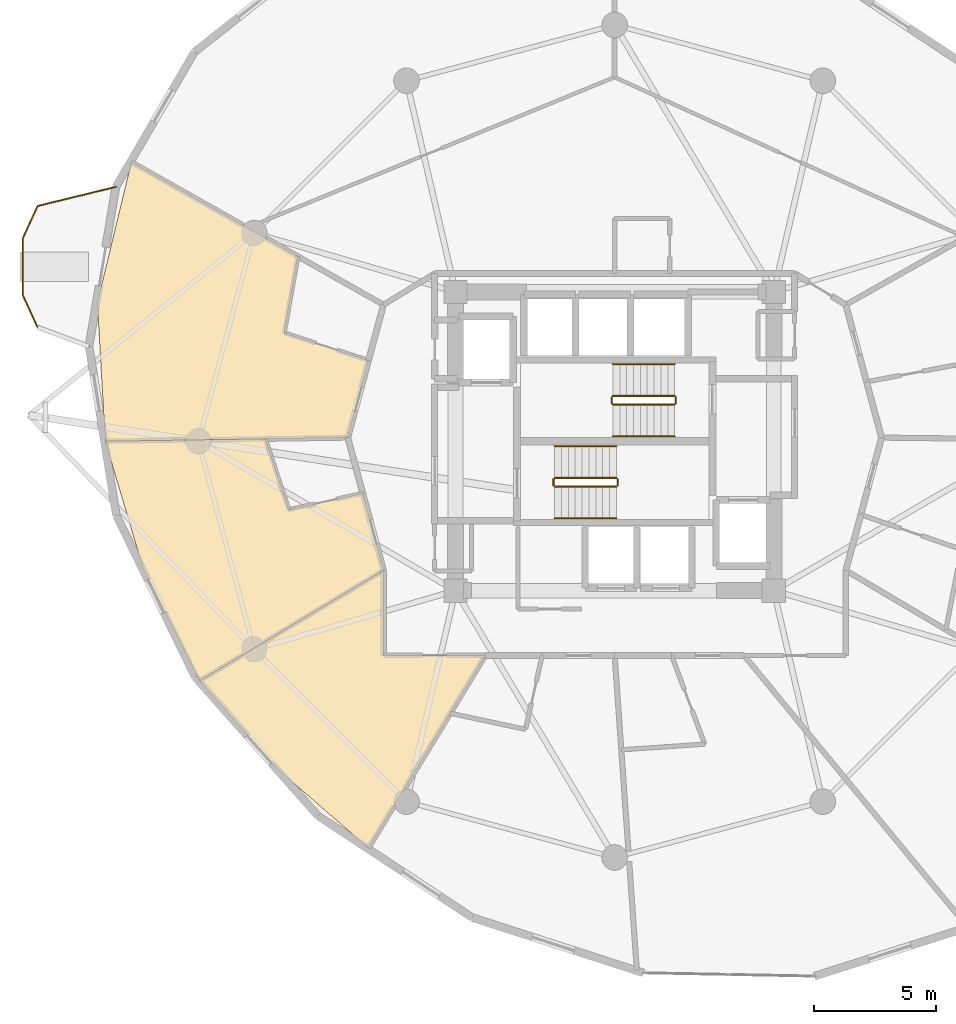
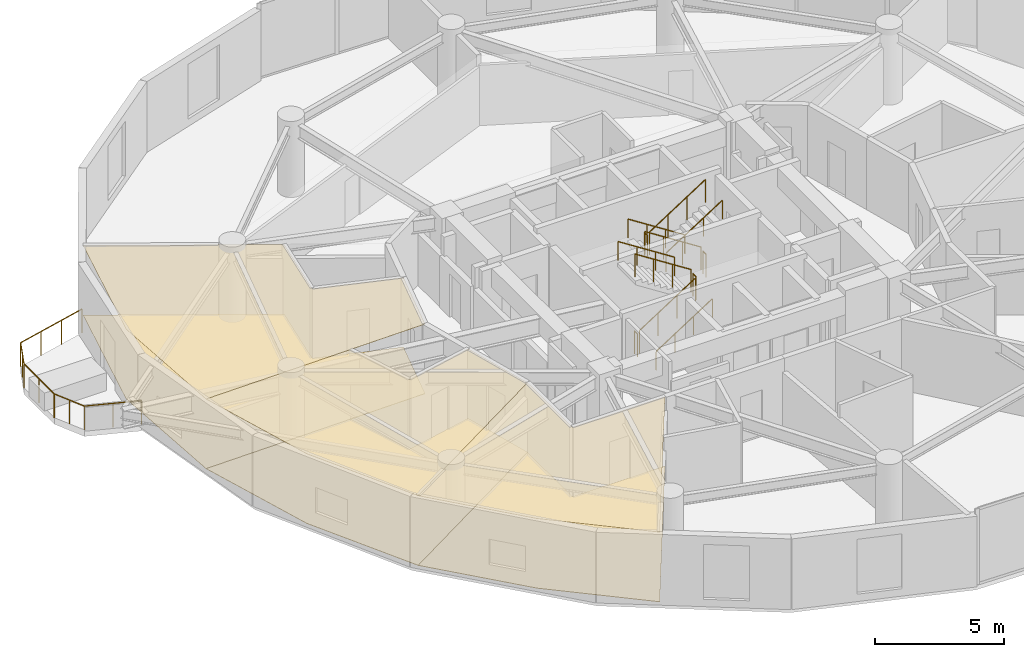
# One storey, part 19 of 20: 13 railings, 6 coverings.
"""IFC4 building model written with IfcOpenShell, lengths in metres."""

from ifc_helpers import new_model, si_unit, direction, frame, origin, origin_2d, place, context, subcontext, project, spatial, polyline, circle, outline, extrude, material, layer, layer_set, type_object, element, save


model = new_model("IFC4")

# Units and contexts
model_context = context("Model", 3, precision=1e-05, world=origin(), true_north=direction((0.0, 1.0)))
body_context = subcontext(model_context, "Body", "Model", "MODEL_VIEW")
ifc_project = project(units=[si_unit("LENGTHUNIT", "METRE"), si_unit("AREAUNIT", "SQUARE_METRE"), si_unit("VOLUMEUNIT", "CUBIC_METRE"), si_unit("PLANEANGLEUNIT", "RADIAN"), si_unit("MASSUNIT", "GRAM", prefix="KILO")], contexts=[model_context])

# Site, building, storey
site_placement = place(None, origin())
site = spatial("IfcSite", under=ifc_project, at=site_placement, CompositionType="ELEMENT")
building_placement = place(site_placement, origin())
building = spatial("IfcBuilding", under=site, at=building_placement, Name="Solvirekh Grand Hotel", CompositionType="ELEMENT")
storey_placement = place(building_placement, frame((0.0, 0.0, 135.0)))
storey = spatial("IfcBuildingStorey", under=building, at=storey_placement, Name="L34", CompositionType="ELEMENT", Elevation=135.0)

# Coverings
ifc_material_1 = material(Name="Acoustic Mineral Ceiling Tile")
ifc_layer_1 = layer(ifc_material_1, 0.02490234375)
ifc_layer_set_1 = layer_set([ifc_layer_1], Name="Acoustic Mineral Ceiling Tile")
covering_type_1 = type_object("IfcCoveringType", Name="Cov_Ceiling_Acoustic", PredefinedType="CEILING", material=ifc_layer_set_1)
covering_1_placement = place(storey_placement, frame((0.0, 0.0, 3.300048828125)))
element("IfcCovering", 1, at=covering_1_placement, inside=storey, type_object=covering_type_1, Name="L34 Deluxe Guestroom 3602 acoustic ceiling", PredefinedType="CEILING", context=body_context, shape_type="SweptSolid", body=[
    extrude(outline(polyline([(-13.498046875, 4.423095703125), (-12.94091796875, 7.553955078125), (-19.738037109375, 11.39599609375), (-21.1259765625, 5.660888671875), (-20.802001953125, 0.0), (-10.89990234375, 0.14990234375), (-10.052978515625, 3.297119140625), (-13.498046875, 4.423095703125)])), origin(), (0.0, 0.0, 1.0), 0.01806640625),
])
covering_2_placement = place(storey_placement, frame((0.0, 0.0, 3.300048828125)))
element("IfcCovering", 2, at=covering_2_placement, inside=storey, type_object=covering_type_1, Name="L34 Deluxe Guestroom 3603 acoustic ceiling", PredefinedType="CEILING", context=body_context, shape_type="SweptSolid", body=[
    extrude(outline(polyline([(-13.31103515625, -2.802001953125), (-14.26708984375, 0.09912109375), (-20.802001953125, 0.0), (-19.26904296875, -5.1630859375), (-16.946044921875, -9.783935546875), (-9.43994140625, -5.27490234375), (-10.287109375, -2.12890625), (-13.31103515625, -2.802001953125)])), origin(), (0.0, 0.0, 1.0), 0.01806640625),
])
covering_3_placement = place(storey_placement, frame((0.0, 0.0, 3.300048828125)))
element("IfcCovering", 3, at=covering_3_placement, inside=storey, type_object=covering_type_1, Name="L34 L34 Presidential Reception acoustic ceiling", PredefinedType="CEILING", context=body_context, shape_type="SweptSolid", body=[
    extrude(outline(polyline([(-16.946044921875, -9.783935546875), (-13.717041015625, -13.43310546875), (-10.05810546875, -16.60791015625), (-5.285888671875, -8.75), (-9.43994140625, -8.75), (-9.43994140625, -5.27490234375), (-16.946044921875, -9.783935546875)])), origin(), (0.0, 0.0, 1.0), 0.01806640625),
])
ifc_material_2 = material(Name="Porcelain Stoneware Flooring", Category="masonry")
ifc_layer_2 = layer(ifc_material_2, 0.030029296875)
ifc_layer_set_2 = layer_set([ifc_layer_2], Name="Porcelain Stoneware Flooring")
covering_type_2 = type_object("IfcCoveringType", Name="Cov_Floor_Stone", PredefinedType="FLOORING", material=ifc_layer_set_2)
covering_4_placement = place(storey_placement, origin())
element("IfcCovering", 4, at=covering_4_placement, inside=storey, type_object=covering_type_2, Name="L34 Deluxe Guestroom 3602 polished granite flooring", PredefinedType="FLOORING", context=body_context, shape_type="SweptSolid", body=[
    extrude(outline(polyline([(-13.498046875, 4.423095703125), (-12.94091796875, 7.553955078125), (-19.738037109375, 11.39599609375), (-21.1259765625, 5.660888671875), (-20.802001953125, 0.0), (-10.89990234375, 0.14990234375), (-10.052978515625, 3.297119140625), (-13.498046875, 4.423095703125)])), origin(), (0.0, 0.0, 1.0), 0.02001953125),
])
covering_5_placement = place(storey_placement, origin())
element("IfcCovering", 5, at=covering_5_placement, inside=storey, type_object=covering_type_2, Name="L34 Deluxe Guestroom 3603 polished granite flooring", PredefinedType="FLOORING", context=body_context, shape_type="SweptSolid", body=[
    extrude(outline(polyline([(-13.31103515625, -2.802001953125), (-14.26708984375, 0.09912109375), (-20.802001953125, 0.0), (-19.26904296875, -5.1630859375), (-16.946044921875, -9.783935546875), (-9.43994140625, -5.27490234375), (-10.287109375, -2.12890625), (-13.31103515625, -2.802001953125)])), origin(), (0.0, 0.0, 1.0), 0.02001953125),
])
covering_6_placement = place(storey_placement, origin())
element("IfcCovering", 6, at=covering_6_placement, inside=storey, type_object=covering_type_2, Name="L34 L34 Presidential Reception polished granite flooring", PredefinedType="FLOORING", context=body_context, shape_type="SweptSolid", body=[
    extrude(outline(polyline([(-16.946044921875, -9.783935546875), (-13.717041015625, -13.43310546875), (-10.05810546875, -16.60791015625), (-5.285888671875, -8.75), (-9.43994140625, -8.75), (-9.43994140625, -5.27490234375), (-16.946044921875, -9.783935546875)])), origin(), (0.0, 0.0, 1.0), 0.02001953125),
])

# Railings
ifc_material_3 = material(Name="Anodized Bronze Aluminium 6063-T6", Category="aluminium")
railing_type_1 = type_object("IfcRailingType", Name="Guard_ExtGlass_1150", PredefinedType="BALUSTRADE", material=ifc_material_3)
railing_1_placement = place(storey_placement, frame((-20.368896484375, 10.39306640625, 0.0)))
element("IfcRailing", 7, at=railing_1_placement, inside=storey, type_object=railing_type_1, Name="L34 horn perimeter glass balustrade", PredefinedType="BALUSTRADE", context=body_context, shape_type="SweptSolid", body=[
    extrude(circle(Radius=0.02392578125, at=origin_2d()), frame((0.0, 0.0, 1.1259765625), z_axis=(-0.971333998501, -0.237718874633, 0.0), x_axis=(0.237718874633, -0.971333998501, 0.0)), (0.0, 0.0, 1.0), 3.293701171875),
    extrude(circle(Radius=0.02392578125, at=origin_2d()), frame((-3.19921875, -0.782958984375, 1.1259765625), z_axis=(-0.417860690066, -0.908511113689, 0.0), x_axis=(0.908511113689, -0.417860690066, 0.0)), (0.0, 0.0, 1.0), 1.435546875),
    extrude(circle(Radius=0.02392578125, at=origin_2d()), frame((-3.799072265625, -2.087158203125, 1.1259765625), z_axis=(0.0, -1.0, 0.0), x_axis=(1.0, 0.0, 0.0)), (0.0, 0.0, 1.0), 2.346923828125),
    extrude(circle(Radius=0.02392578125, at=origin_2d()), frame((-3.799072265625, -4.43408203125, 1.1259765625), z_axis=(0.417925262645, -0.908481411391, 0.0), x_axis=(0.908481411391, 0.417925262645, 0.0)), (0.0, 0.0, 1.0), 1.435302734375),
    extrude(circle(Radius=0.02392578125, at=origin_2d()), frame((-3.19921875, -5.738037109375, 1.1259765625), z_axis=(0.93699893961, -0.349332201736, 0.0), x_axis=(0.349332201736, 0.93699893961, 0.0)), (0.0, 0.0, 1.0), 2.2412109375),
    extrude(circle(Radius=0.02099609375, at=origin_2d()), origin(), (0.0, 0.0, 1.0), 1.101806640625),
    extrude(circle(Radius=0.02099609375, at=origin_2d()), frame((-1.06640625, -0.260986328125, 0.0)), (0.0, 0.0, 1.0), 1.101806640625),
    extrude(circle(Radius=0.02099609375, at=origin_2d()), frame((-2.1328125, -0.52197265625, 0.0)), (0.0, 0.0, 1.0), 1.101806640625),
    extrude(circle(Radius=0.02099609375, at=origin_2d()), frame((-3.19921875, -0.782958984375, 0.0)), (0.0, 0.0, 1.0), 1.101806640625),
    extrude(circle(Radius=0.02099609375, at=origin_2d()), frame((-3.4990234375, -1.43505859375, 0.0)), (0.0, 0.0, 1.0), 1.101806640625),
    extrude(circle(Radius=0.02099609375, at=origin_2d()), frame((-3.799072265625, -2.087158203125, 0.0)), (0.0, 0.0, 1.0), 1.101806640625),
    extrude(circle(Radius=0.02099609375, at=origin_2d()), frame((-3.799072265625, -3.2607421875, 0.0)), (0.0, 0.0, 1.0), 1.101806640625),
    extrude(circle(Radius=0.02099609375, at=origin_2d()), frame((-3.799072265625, -4.43408203125, 0.0)), (0.0, 0.0, 1.0), 1.101806640625),
    extrude(circle(Radius=0.02099609375, at=origin_2d()), frame((-3.4990234375, -5.0859375, 0.0)), (0.0, 0.0, 1.0), 1.101806640625),
    extrude(circle(Radius=0.02099609375, at=origin_2d()), frame((-3.19921875, -5.738037109375, 0.0)), (0.0, 0.0, 1.0), 1.101806640625),
    extrude(circle(Radius=0.02099609375, at=origin_2d()), frame((-2.149169921875, -6.12939453125, 0.0)), (0.0, 0.0, 1.0), 1.101806640625),
    extrude(circle(Radius=0.02099609375, at=origin_2d()), frame((-1.09912109375, -6.52099609375, 0.0)), (0.0, 0.0, 1.0), 1.101806640625),
])
ifc_material_4 = material(Name="Steel S355", Category="steel")
railing_type_2 = type_object("IfcRailingType", Name="Guard_Stair_1100", PredefinedType="GUARDRAIL", material=ifc_material_4)
railing_2_placement = place(storey_placement, frame((-2.449951171875, -1.85009765625, 0.179931640625)))
element("IfcRailing", 8, at=railing_2_placement, inside=storey, type_object=railing_type_2, Name="L34 ST-1 stair guard 1", PredefinedType="GUARDRAIL", context=body_context, shape_type="SweptSolid", body=[
    extrude(circle(Radius=0.02392578125, at=origin_2d()), frame((0.0, 0.0, 1.076171875), z_axis=(0.841162588446, 0.0, 0.540782303519), x_axis=(0.0, 1.0, 0.0)), (0.0, 0.0, 1.0), 2.995849609375),
    extrude(circle(Radius=0.02099609375, at=origin_2d()), origin(), (0.0, 0.0, 1.0), 1.052001953125),
    extrude(circle(Radius=0.02099609375, at=origin_2d()), frame((0.840087890625, 0.0, 0.5400390625)), (0.0, 0.0, 1.0), 1.052001953125),
    extrude(circle(Radius=0.02099609375, at=origin_2d()), frame((1.679931640625, 0.0, 1.080078125)), (0.0, 0.0, 1.0), 1.052001953125),
    extrude(circle(Radius=0.02099609375, at=origin_2d()), frame((2.52001953125, 0.0, 1.6201171875)), (0.0, 0.0, 1.0), 1.052001953125),
])
railing_3_placement = place(storey_placement, frame((0.1201171875, -1.800048828125, 1.800048828125)))
element("IfcRailing", 9, at=railing_3_placement, inside=storey, type_object=railing_type_2, Name="L34 ST-1 stair guard 2", PredefinedType="GUARDRAIL", context=body_context, shape_type="SweptSolid", body=[
    extrude(circle(Radius=0.02392578125, at=origin_2d()), frame((0.0, 0.0, 1.076171875), z_axis=(0.0, 1.0, 0.0), x_axis=(-1.0, 0.0, 0.0)), (0.0, 0.0, 1.0), 0.25),
    extrude(circle(Radius=0.02099609375, at=origin_2d()), origin(), (0.0, 0.0, 1.0), 1.052001953125),
    extrude(circle(Radius=0.02099609375, at=origin_2d()), frame((0.0, 0.25, 0.0)), (0.0, 0.0, 1.0), 1.052001953125),
])
railing_4_placement = place(storey_placement, frame((0.070068359375, -1.5, 1.97998046875)))
element("IfcRailing", 10, at=railing_4_placement, inside=storey, type_object=railing_type_2, Name="L34 ST-1 stair guard 3", PredefinedType="GUARDRAIL", context=body_context, shape_type="SweptSolid", body=[
    extrude(circle(Radius=0.02392578125, at=origin_2d()), frame((0.0, 0.0, 1.076171875), z_axis=(-0.841162588446, 0.0, 0.540782303519), x_axis=(0.0, -1.0, 0.0)), (0.0, 0.0, 1.0), 2.995849609375),
    extrude(circle(Radius=0.02099609375, at=origin_2d()), origin(), (0.0, 0.0, 1.0), 1.052001953125),
    extrude(circle(Radius=0.02099609375, at=origin_2d()), frame((-0.840087890625, 0.0, 0.5400390625)), (0.0, 0.0, 1.0), 1.052001953125),
    extrude(circle(Radius=0.02099609375, at=origin_2d()), frame((-1.679931640625, 0.0, 1.080078125)), (0.0, 0.0, 1.0), 1.052001953125),
    extrude(circle(Radius=0.02099609375, at=origin_2d()), frame((-2.52001953125, 0.0, 1.6201171875)), (0.0, 0.0, 1.0), 1.052001953125),
])
railing_5_placement = place(storey_placement, frame((-2.5, -1.800048828125, 0.0)))
element("IfcRailing", 11, at=railing_5_placement, inside=storey, type_object=railing_type_2, Name="L34 ST-1 stair guard 4", PredefinedType="GUARDRAIL", context=body_context, shape_type="SweptSolid", body=[
    extrude(circle(Radius=0.02392578125, at=origin_2d()), frame((0.0, 0.0, 1.076171875), z_axis=(0.0, 1.0, 0.0), x_axis=(-1.0, 0.0, 0.0)), (0.0, 0.0, 1.0), 0.25),
    extrude(circle(Radius=0.02099609375, at=origin_2d()), origin(), (0.0, 0.0, 1.0), 1.052001953125),
    extrude(circle(Radius=0.02099609375, at=origin_2d()), frame((0.0, 0.25, 0.0)), (0.0, 0.0, 1.0), 1.052001953125),
])
railing_6_placement = place(storey_placement, frame((2.449951171875, 1.85009765625, 0.179931640625)))
element("IfcRailing", 12, at=railing_6_placement, inside=storey, type_object=railing_type_2, Name="L34 ST-2 stair guard 1", PredefinedType="GUARDRAIL", context=body_context, shape_type="SweptSolid", body=[
    extrude(circle(Radius=0.02392578125, at=origin_2d()), frame((0.0, 0.0, 1.076171875), z_axis=(-0.841162588446, 0.0, 0.540782303519), x_axis=(0.0, -1.0, 0.0)), (0.0, 0.0, 1.0), 2.995849609375),
    extrude(circle(Radius=0.02099609375, at=origin_2d()), origin(), (0.0, 0.0, 1.0), 1.052001953125),
    extrude(circle(Radius=0.02099609375, at=origin_2d()), frame((-0.840087890625, 0.0, 0.5400390625)), (0.0, 0.0, 1.0), 1.052001953125),
    extrude(circle(Radius=0.02099609375, at=origin_2d()), frame((-1.679931640625, 0.0, 1.080078125)), (0.0, 0.0, 1.0), 1.052001953125),
    extrude(circle(Radius=0.02099609375, at=origin_2d()), frame((-2.52001953125, 0.0, 1.6201171875)), (0.0, 0.0, 1.0), 1.052001953125),
])
railing_7_placement = place(storey_placement, frame((-0.1201171875, 1.800048828125, 1.800048828125)))
element("IfcRailing", 13, at=railing_7_placement, inside=storey, type_object=railing_type_2, Name="L34 ST-2 stair guard 2", PredefinedType="GUARDRAIL", context=body_context, shape_type="SweptSolid", body=[
    extrude(circle(Radius=0.02392578125, at=origin_2d()), frame((0.0, 0.0, 1.076171875), z_axis=(0.0, -1.0, 0.0), x_axis=(1.0, 0.0, 0.0)), (0.0, 0.0, 1.0), 0.25),
    extrude(circle(Radius=0.02099609375, at=origin_2d()), origin(), (0.0, 0.0, 1.0), 1.052001953125),
    extrude(circle(Radius=0.02099609375, at=origin_2d()), frame((0.0, -0.25, 0.0)), (0.0, 0.0, 1.0), 1.052001953125),
])
railing_8_placement = place(storey_placement, frame((-0.070068359375, 1.5, 1.97998046875)))
element("IfcRailing", 14, at=railing_8_placement, inside=storey, type_object=railing_type_2, Name="L34 ST-2 stair guard 3", PredefinedType="GUARDRAIL", context=body_context, shape_type="SweptSolid", body=[
    extrude(circle(Radius=0.02392578125, at=origin_2d()), frame((0.0, 0.0, 1.076171875), z_axis=(0.841162588446, 0.0, 0.540782303519), x_axis=(0.0, 1.0, 0.0)), (0.0, 0.0, 1.0), 2.995849609375),
    extrude(circle(Radius=0.02099609375, at=origin_2d()), origin(), (0.0, 0.0, 1.0), 1.052001953125),
    extrude(circle(Radius=0.02099609375, at=origin_2d()), frame((0.840087890625, 0.0, 0.5400390625)), (0.0, 0.0, 1.0), 1.052001953125),
    extrude(circle(Radius=0.02099609375, at=origin_2d()), frame((1.679931640625, 0.0, 1.080078125)), (0.0, 0.0, 1.0), 1.052001953125),
    extrude(circle(Radius=0.02099609375, at=origin_2d()), frame((2.52001953125, 0.0, 1.6201171875)), (0.0, 0.0, 1.0), 1.052001953125),
])
railing_9_placement = place(storey_placement, frame((2.5, 1.800048828125, 0.0)))
element("IfcRailing", 15, at=railing_9_placement, inside=storey, type_object=railing_type_2, Name="L34 ST-2 stair guard 4", PredefinedType="GUARDRAIL", context=body_context, shape_type="SweptSolid", body=[
    extrude(circle(Radius=0.02392578125, at=origin_2d()), frame((0.0, 0.0, 1.076171875), z_axis=(0.0, -1.0, 0.0), x_axis=(1.0, 0.0, 0.0)), (0.0, 0.0, 1.0), 0.25),
    extrude(circle(Radius=0.02099609375, at=origin_2d()), origin(), (0.0, 0.0, 1.0), 1.052001953125),
    extrude(circle(Radius=0.02099609375, at=origin_2d()), frame((0.0, -0.25, 0.0)), (0.0, 0.0, 1.0), 1.052001953125),
])
railing_type_3 = type_object("IfcRailingType", Name="Handrail_Wall_900", PredefinedType="HANDRAIL", material=ifc_material_3)
railing_10_placement = place(storey_placement, frame((-2.449951171875, -3.14990234375, 0.179931640625)))
element("IfcRailing", 16, at=railing_10_placement, inside=storey, type_object=railing_type_3, Name="L34 ST-1 stair handrail 1", PredefinedType="HANDRAIL", context=body_context, shape_type="SweptSolid", body=[
    extrude(circle(Radius=0.02392578125, at=origin_2d()), frame((0.0, 0.0, 0.8759765625), z_axis=(0.841162588446, 0.0, 0.540782303519), x_axis=(0.0, 1.0, 0.0)), (0.0, 0.0, 1.0), 2.995849609375),
    extrude(circle(Radius=0.02099609375, at=origin_2d()), origin(), (0.0, 0.0, 1.0), 0.851806640625),
    extrude(circle(Radius=0.02099609375, at=origin_2d()), frame((0.840087890625, 0.0, 0.5400390625)), (0.0, 0.0, 1.0), 0.851806640625),
    extrude(circle(Radius=0.02099609375, at=origin_2d()), frame((1.679931640625, 0.0, 1.080078125)), (0.0, 0.0, 1.0), 0.851806640625),
    extrude(circle(Radius=0.02099609375, at=origin_2d()), frame((2.52001953125, 0.0, 1.6201171875)), (0.0, 0.0, 1.0), 0.851806640625),
])
for number, where, name in (
    (17, (0.070068359375, -0.199951171875, 1.97998046875), "L34 ST-1 stair handrail 2"),
    (18, (2.449951171875, 3.14990234375, 0.179931640625), "L34 ST-2 stair handrail 1"),
):
    element("IfcRailing", number, at=place(storey_placement, frame(where)), inside=storey, type_object=railing_type_3, Name=name, PredefinedType="HANDRAIL", context=body_context, shape_type="SweptSolid", body=[
        extrude(circle(Radius=0.02392578125, at=origin_2d()), frame((0.0, 0.0, 0.8759765625), z_axis=(-0.841162588446, 0.0, 0.540782303519), x_axis=(0.0, -1.0, 0.0)), (0.0, 0.0, 1.0), 2.995849609375),
        extrude(circle(Radius=0.02099609375, at=origin_2d()), origin(), (0.0, 0.0, 1.0), 0.851806640625),
        extrude(circle(Radius=0.02099609375, at=origin_2d()), frame((-0.840087890625, 0.0, 0.5400390625)), (0.0, 0.0, 1.0), 0.851806640625),
        extrude(circle(Radius=0.02099609375, at=origin_2d()), frame((-1.679931640625, 0.0, 1.080078125)), (0.0, 0.0, 1.0), 0.851806640625),
        extrude(circle(Radius=0.02099609375, at=origin_2d()), frame((-2.52001953125, 0.0, 1.6201171875)), (0.0, 0.0, 1.0), 0.851806640625),
    ])
railing_11_placement = place(storey_placement, frame((-0.070068359375, 0.199951171875, 1.97998046875)))
element("IfcRailing", 19, at=railing_11_placement, inside=storey, type_object=railing_type_3, Name="L34 ST-2 stair handrail 2", PredefinedType="HANDRAIL", context=body_context, shape_type="SweptSolid", body=[
    extrude(circle(Radius=0.02392578125, at=origin_2d()), frame((0.0, 0.0, 0.8759765625), z_axis=(0.841162588446, 0.0, 0.540782303519), x_axis=(0.0, 1.0, 0.0)), (0.0, 0.0, 1.0), 2.995849609375),
    extrude(circle(Radius=0.02099609375, at=origin_2d()), origin(), (0.0, 0.0, 1.0), 0.851806640625),
    extrude(circle(Radius=0.02099609375, at=origin_2d()), frame((0.840087890625, 0.0, 0.5400390625)), (0.0, 0.0, 1.0), 0.851806640625),
    extrude(circle(Radius=0.02099609375, at=origin_2d()), frame((1.679931640625, 0.0, 1.080078125)), (0.0, 0.0, 1.0), 0.851806640625),
    extrude(circle(Radius=0.02099609375, at=origin_2d()), frame((2.52001953125, 0.0, 1.6201171875)), (0.0, 0.0, 1.0), 0.851806640625),
])

save(model, "model.ifc")
